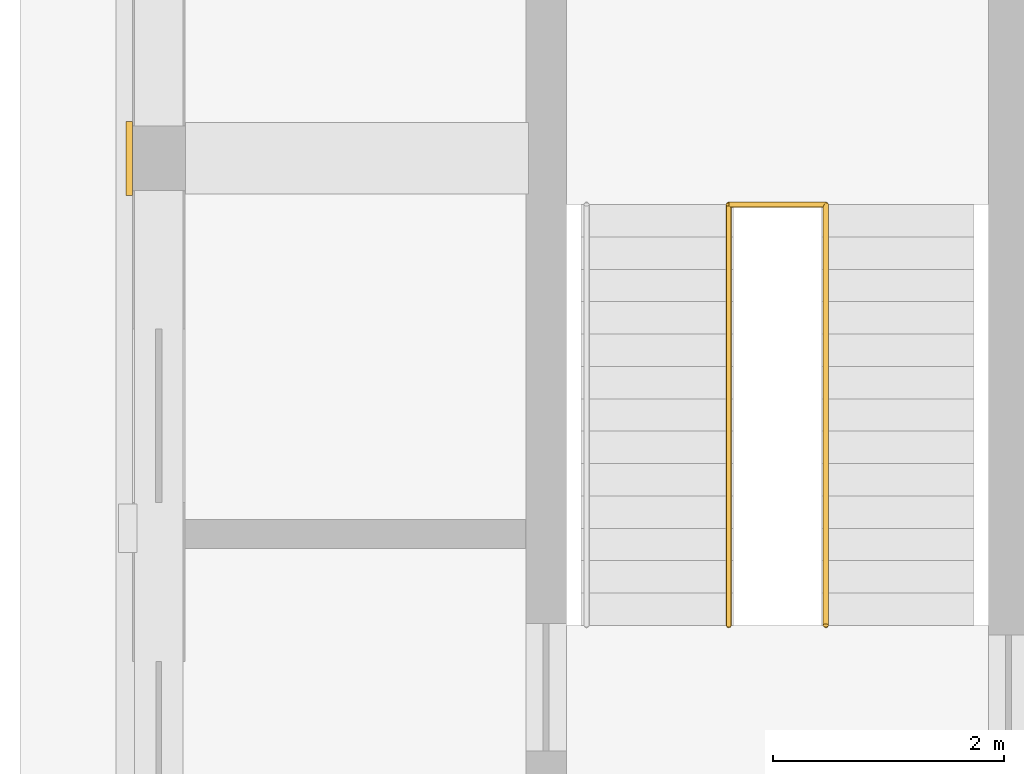
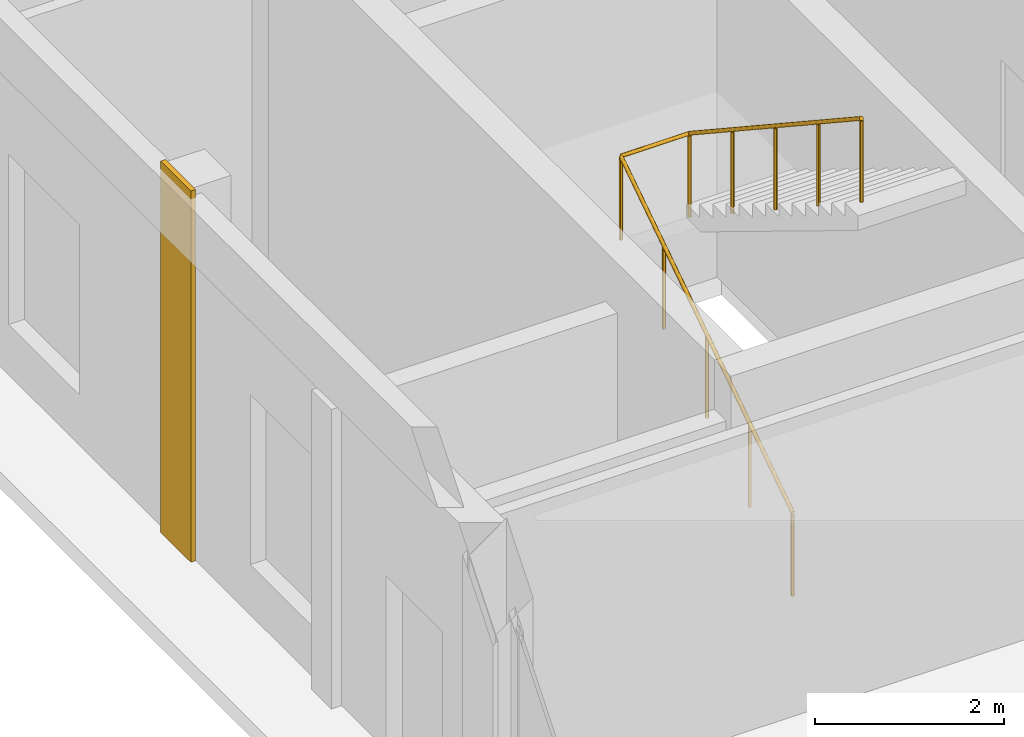
# One storey, part 73 of 88: 1 covering, 1 railing.
"""IFC4 building model written with IfcOpenShell, lengths in metres."""

from ifc_helpers import new_model, si_unit, derived_unit, direction, frame, origin, origin_2d, place, context, subcontext, project, spatial, rectangle, circle, extrude, material, layer, layer_set, type_object, element, save


model = new_model("IFC4")

# Units and contexts
model_context = context("Model", 3, precision=1e-05, world=origin(), true_north=direction((0.0, 1.0)))
body_context = subcontext(model_context, "Body", "Model", "MODEL_VIEW")
ifc_project = project(units=[si_unit("LENGTHUNIT", "METRE"), si_unit("AREAUNIT", "SQUARE_METRE"), si_unit("VOLUMEUNIT", "CUBIC_METRE"), si_unit("PLANEANGLEUNIT", "RADIAN"), si_unit("MASSUNIT", "GRAM", prefix="KILO"), derived_unit("THERMALTRANSMITTANCEUNIT", [(si_unit("POWERUNIT", "WATT"), 1), (si_unit("LENGTHUNIT", "METRE"), -2), (si_unit("THERMODYNAMICTEMPERATUREUNIT", "KELVIN"), -1)])], contexts=[model_context])

# Site, building, storey
site_placement = place(None, origin())
site = spatial("IfcSite", under=ifc_project, at=site_placement, CompositionType="ELEMENT")
building_placement = place(site_placement, origin())
building = spatial("IfcBuilding", under=site, at=building_placement, Name="Braskholm Square Health Centre", CompositionType="ELEMENT")
storey_placement = place(building_placement, origin())
storey = spatial("IfcBuildingStorey", under=building, at=storey_placement, Name="L01", CompositionType="ELEMENT", Elevation=0.0)

# Railing
ifc_material_1 = material(Name="Dark patinated chevron architectural bronze", Category="aluminium")
railing_type = type_object("IfcRailingType", Name="BronzeChevronGuardrail1100", PredefinedType="GUARDRAIL", material=ifc_material_1)
railing_placement = place(storey_placement, frame((9.1298828125, 51.360107421875, 0.0)))
element("IfcRailing", 1, at=railing_placement, inside=storey, type_object=railing_type, Name="Stair ST-02 inner well guardrail L01", PredefinedType="GUARDRAIL", context=body_context, shape_type="SweptSolid", body=[
    extrude(circle(Radius=0.02392578125, at=origin_2d()), frame((0.0, 0.0, 1.076171875), z_axis=(0.0, 0.834865213223, 0.550454426587), x_axis=(-1.0, 0.0, 0.0)), (0.0, 0.0, 1.0), 4.35986328125),
    extrude(circle(Radius=0.02392578125, at=origin_2d()), frame((0.0, 3.639892578125, 3.47607421875), z_axis=(1.0, 0.0, 0.0), x_axis=(0.0, 1.0, 0.0)), (0.0, 0.0, 1.0), 0.840087890625),
    extrude(circle(Radius=0.02392578125, at=origin_2d()), frame((0.840087890625, 3.639892578125, 3.47607421875), z_axis=(0.0, -0.834839479206, 0.550493454965), x_axis=(1.0, 0.0, 0.0)), (0.0, 0.0, 1.0), 4.360107421875),
    extrude(circle(Radius=0.02099609375, at=origin_2d()), origin(), (0.0, 0.0, 1.0), 1.052001953125),
    extrude(circle(Radius=0.02099609375, at=origin_2d()), frame((0.0, 0.909912109375, 0.60009765625)), (0.0, 0.0, 1.0), 1.052001953125),
    extrude(circle(Radius=0.02099609375, at=origin_2d()), frame((0.0, 1.81982421875, 1.199951171875)), (0.0, 0.0, 1.0), 1.052001953125),
    extrude(circle(Radius=0.02099609375, at=origin_2d()), frame((0.0, 2.72998046875, 1.7998046875)), (0.0, 0.0, 1.0), 1.052001953125),
    extrude(circle(Radius=0.02099609375, at=origin_2d()), frame((0.0, 3.639892578125, 2.39990234375)), (0.0, 0.0, 1.0), 1.052001953125),
    extrude(circle(Radius=0.02099609375, at=origin_2d()), frame((0.840087890625, 3.639892578125, 2.39990234375)), (0.0, 0.0, 1.0), 1.052001953125),
    extrude(circle(Radius=0.02099609375, at=origin_2d()), frame((0.840087890625, 2.72998046875, 3.0)), (0.0, 0.0, 1.0), 1.052001953125),
    extrude(circle(Radius=0.02099609375, at=origin_2d()), frame((0.840087890625, 1.81982421875, 3.60009765625)), (0.0, 0.0, 1.0), 1.052001953125),
    extrude(circle(Radius=0.02099609375, at=origin_2d()), frame((0.840087890625, 0.909912109375, 4.199951171875)), (0.0, 0.0, 1.0), 1.052001953125),
    extrude(circle(Radius=0.02099609375, at=origin_2d()), frame((0.840087890625, 0.0, 4.800048828125)), (0.0, 0.0, 1.0), 1.052001953125),
])

# Covering
ifc_material_2 = material(Name="Precast concrete C40/50 architectural white", Category="concrete")
ifc_layer = layer(ifc_material_2, 0.054931640625)
ifc_layer_set = layer_set([ifc_layer], Name="Precast concrete C40/50 architectural white")
covering_type = type_object("IfcCoveringType", Name="PrecastWhiteColumnCasing", PredefinedType="CLADDING", material=ifc_layer_set)
covering_placement = place(storey_placement, frame((3.945068359375, 55.39990234375, 0.0), z_axis=(0.0, 0.0, 1.0), x_axis=(1.0, 0.0, 0.0)))
element("IfcCovering", 2, at=covering_placement, inside=storey, type_object=covering_type, Name="Giant-order white precast column casing 0073", PredefinedType="CLADDING", context=body_context, shape_type="SweptSolid", body=[
    extrude(rectangle(XDim=0.06005859375, YDim=0.639892578125, at=origin_2d()), origin(), (0.0, 0.0, 1.0), 4.800048828125),
])

save(model, "model.ifc")
